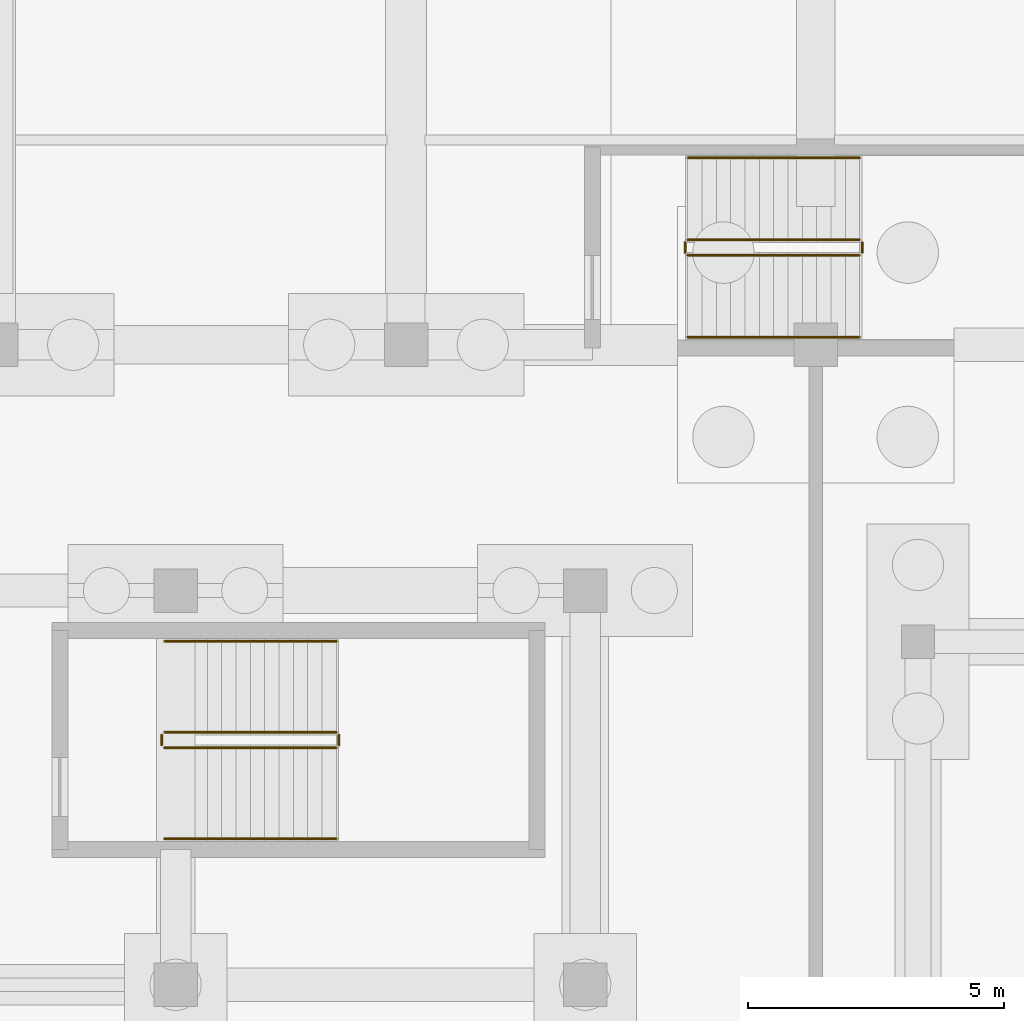
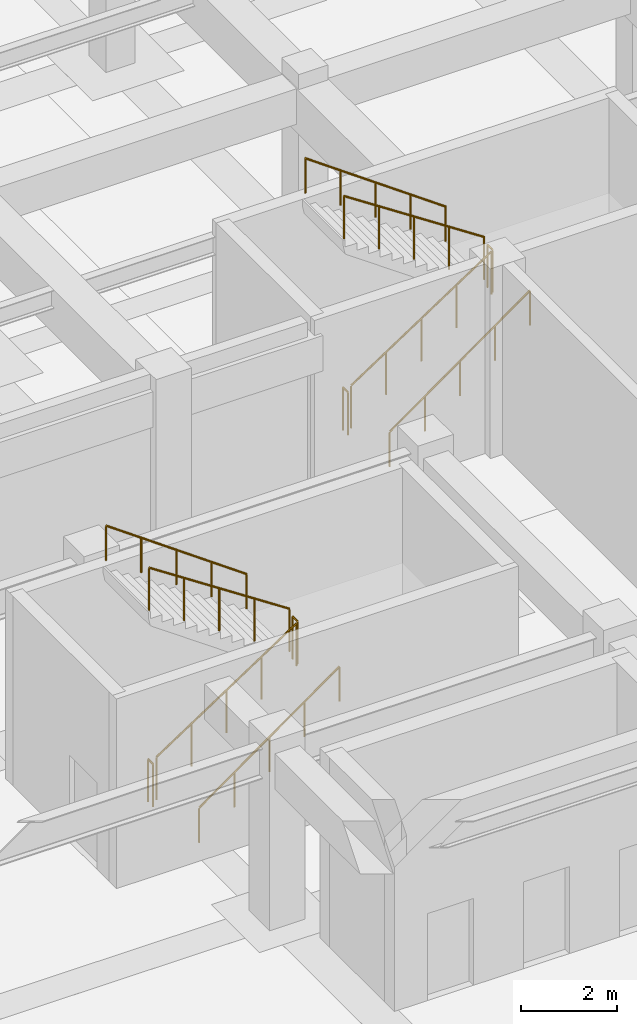
# One storey, part 47 of 48: 12 railings.
"""IFC4 building model written with IfcOpenShell, lengths in metres."""

from ifc_helpers import new_model, si_unit, direction, frame, origin, origin_2d, place, context, subcontext, project, spatial, circle, extrude, material, type_object, element, save


model = new_model("IFC4")

# Units and contexts
model_context = context("Model", 3, precision=1e-05, world=origin(), true_north=direction((0.0, 1.0)))
body_context = subcontext(model_context, "Body", "Model", "MODEL_VIEW")
ifc_project = project(units=[si_unit("LENGTHUNIT", "METRE"), si_unit("AREAUNIT", "SQUARE_METRE"), si_unit("VOLUMEUNIT", "CUBIC_METRE"), si_unit("PLANEANGLEUNIT", "RADIAN"), si_unit("MASSUNIT", "GRAM", prefix="KILO")], contexts=[model_context])

# Site, building, storey
site_placement = place(None, origin())
site = spatial("IfcSite", under=ifc_project, at=site_placement, CompositionType="ELEMENT")
building_placement = place(site_placement, origin())
building = spatial("IfcBuilding", under=site, at=building_placement, Name="Tlacozan Convention Centre", CompositionType="ELEMENT")
storey_placement = place(building_placement, frame((0.0, 0.0, -4.800048828125)))
storey = spatial("IfcBuildingStorey", under=building, at=storey_placement, Name="B01", CompositionType="ELEMENT", Elevation=-4.800048828125)

# Railings
ifc_material = material(Name="Architectural Painted Galvanised Steel Railing", Category="steel")
railing_type_1 = type_object("IfcRailingType", Name="Stair Wall Handrail 900", PredefinedType="HANDRAIL", material=ifc_material)
railing_1_placement = place(storey_placement, frame((131.280029296875, 52.35009765625, 0.1845703125)))
element("IfcRailing", 1, at=railing_1_placement, inside=storey, type_object=railing_type_1, Name="B01 ST-03 stair handrail 1", PredefinedType="HANDRAIL", context=body_context, shape_type="SweptSolid", body=[
    extrude(circle(Radius=0.02392578125, at=origin_2d()), frame((0.0, 0.0, 0.8759765625), z_axis=(0.813705504801, 0.0, 0.581277344696), x_axis=(0.0, 1.0, 0.0)), (0.0, 0.0, 1.0), 4.129150390625),
    extrude(circle(Radius=0.02099609375, at=origin_2d()), origin(), (0.0, 0.0, 1.0), 0.851806640625),
    extrude(circle(Radius=0.02099609375, at=origin_2d()), frame((0.83984375, 0.0, 0.60009765625)), (0.0, 0.0, 1.0), 0.851806640625),
    extrude(circle(Radius=0.02099609375, at=origin_2d()), frame((1.679931640625, 0.0, 1.2001953125)), (0.0, 0.0, 1.0), 0.851806640625),
    extrude(circle(Radius=0.02099609375, at=origin_2d()), frame((2.52001953125, 0.0, 1.800048828125)), (0.0, 0.0, 1.0), 0.851806640625),
    extrude(circle(Radius=0.02099609375, at=origin_2d()), frame((3.35986328125, 0.0, 2.400146484375)), (0.0, 0.0, 1.0), 0.851806640625),
])
railing_2_placement = place(storey_placement, frame((134.639892578125, 56.2099609375, 2.584716796875)))
element("IfcRailing", 2, at=railing_2_placement, inside=storey, type_object=railing_type_1, Name="B01 ST-03 stair handrail 2", PredefinedType="HANDRAIL", context=body_context, shape_type="SweptSolid", body=[
    extrude(circle(Radius=0.02392578125, at=origin_2d()), frame((0.0, 0.0, 0.8759765625), z_axis=(-0.813733471207, 0.0, 0.581238193719), x_axis=(0.0, -1.0, 0.0)), (0.0, 0.0, 1.0), 4.12890625),
    extrude(circle(Radius=0.02099609375, at=origin_2d()), origin(), (0.0, 0.0, 1.0), 0.851806640625),
    extrude(circle(Radius=0.02099609375, at=origin_2d()), frame((-0.83984375, 0.0, 0.60009765625)), (0.0, 0.0, 1.0), 0.851806640625),
    extrude(circle(Radius=0.02099609375, at=origin_2d()), frame((-1.679931640625, 0.0, 1.199951171875)), (0.0, 0.0, 1.0), 0.851806640625),
    extrude(circle(Radius=0.02099609375, at=origin_2d()), frame((-2.52001953125, 0.0, 1.7998046875)), (0.0, 0.0, 1.0), 0.851806640625),
    extrude(circle(Radius=0.02099609375, at=origin_2d()), frame((-3.35986328125, 0.0, 2.39990234375)), (0.0, 0.0, 1.0), 0.851806640625),
])
railing_3_placement = place(storey_placement, frame((141.5, 62.14990234375, 0.1845703125)))
element("IfcRailing", 3, at=railing_3_placement, inside=storey, type_object=railing_type_1, Name="B01 ST-11 stair handrail 1", PredefinedType="HANDRAIL", context=body_context, shape_type="SweptSolid", body=[
    extrude(circle(Radius=0.02392578125, at=origin_2d()), frame((0.0, 0.0, 0.8759765625), z_axis=(0.813725481382, 0.0, 0.581249379312), x_axis=(0.0, 1.0, 0.0)), (0.0, 0.0, 1.0), 4.12939453125),
    extrude(circle(Radius=0.02099609375, at=origin_2d()), origin(), (0.0, 0.0, 1.0), 0.851806640625),
    extrude(circle(Radius=0.02099609375, at=origin_2d()), frame((0.840087890625, 0.0, 0.60009765625)), (0.0, 0.0, 1.0), 0.851806640625),
    extrude(circle(Radius=0.02099609375, at=origin_2d()), frame((1.68017578125, 0.0, 1.2001953125)), (0.0, 0.0, 1.0), 0.851806640625),
    extrude(circle(Radius=0.02099609375, at=origin_2d()), frame((2.52001953125, 0.0, 1.800048828125)), (0.0, 0.0, 1.0), 0.851806640625),
    extrude(circle(Radius=0.02099609375, at=origin_2d()), frame((3.360107421875, 0.0, 2.400146484375)), (0.0, 0.0, 1.0), 0.851806640625),
])
railing_4_placement = place(storey_placement, frame((144.860107421875, 65.64990234375, 2.584716796875)))
element("IfcRailing", 4, at=railing_4_placement, inside=storey, type_object=railing_type_1, Name="B01 ST-11 stair handrail 2", PredefinedType="HANDRAIL", context=body_context, shape_type="SweptSolid", body=[
    extrude(circle(Radius=0.02392578125, at=origin_2d()), frame((0.0, 0.0, 0.8759765625), z_axis=(-0.813753445783, 0.0, 0.581210228297), x_axis=(0.0, -1.0, 0.0)), (0.0, 0.0, 1.0), 4.129150390625),
    extrude(circle(Radius=0.02099609375, at=origin_2d()), origin(), (0.0, 0.0, 1.0), 0.851806640625),
    extrude(circle(Radius=0.02099609375, at=origin_2d()), frame((-0.840087890625, 0.0, 0.60009765625)), (0.0, 0.0, 1.0), 0.851806640625),
    extrude(circle(Radius=0.02099609375, at=origin_2d()), frame((-1.68017578125, 0.0, 1.199951171875)), (0.0, 0.0, 1.0), 0.851806640625),
    extrude(circle(Radius=0.02099609375, at=origin_2d()), frame((-2.52001953125, 0.0, 1.7998046875)), (0.0, 0.0, 1.0), 0.851806640625),
    extrude(circle(Radius=0.02099609375, at=origin_2d()), frame((-3.360107421875, 0.0, 2.39990234375)), (0.0, 0.0, 1.0), 0.851806640625),
])
railing_type_2 = type_object("IfcRailingType", Name="Stair Well Guardrail 1100", PredefinedType="GUARDRAIL", material=ifc_material)
railing_5_placement = place(storey_placement, frame((131.280029296875, 54.1298828125, 0.1845703125)))
element("IfcRailing", 5, at=railing_5_placement, inside=storey, type_object=railing_type_2, Name="B01 ST-03 stair guard 1", PredefinedType="GUARDRAIL", context=body_context, shape_type="SweptSolid", body=[
    extrude(circle(Radius=0.02392578125, at=origin_2d()), frame((0.0, 0.0, 1.076171875), z_axis=(0.83483021737, 0.0, 0.550507500554), x_axis=(0.0, 1.0, 0.0)), (0.0, 0.0, 1.0), 4.024658203125),
    extrude(circle(Radius=0.02099609375, at=origin_2d()), origin(), (0.0, 0.0, 1.0), 1.052001953125),
    extrude(circle(Radius=0.02099609375, at=origin_2d()), frame((0.83984375, 0.0, 0.553955078125)), (0.0, 0.0, 1.0), 1.052001953125),
    extrude(circle(Radius=0.02099609375, at=origin_2d()), frame((1.679931640625, 0.0, 1.10791015625)), (0.0, 0.0, 1.0), 1.052001953125),
    extrude(circle(Radius=0.02099609375, at=origin_2d()), frame((2.52001953125, 0.0, 1.66162109375)), (0.0, 0.0, 1.0), 1.052001953125),
    extrude(circle(Radius=0.02099609375, at=origin_2d()), frame((3.35986328125, 0.0, 2.215576171875)), (0.0, 0.0, 1.0), 1.052001953125),
])
railing_6_placement = place(storey_placement, frame((134.68994140625, 54.179931640625, 2.400146484375)))
element("IfcRailing", 6, at=railing_6_placement, inside=storey, type_object=railing_type_2, Name="B01 ST-03 stair guard 2", PredefinedType="GUARDRAIL", context=body_context, shape_type="SweptSolid", body=[
    extrude(circle(Radius=0.02392578125, at=origin_2d()), frame((0.0, 0.0, 1.076171875), z_axis=(0.0, 1.0, 0.0), x_axis=(-1.0, 0.0, 0.0)), (0.0, 0.0, 1.0), 0.199951171875),
    extrude(circle(Radius=0.02099609375, at=origin_2d()), origin(), (0.0, 0.0, 1.0), 1.052001953125),
    extrude(circle(Radius=0.02099609375, at=origin_2d()), frame((0.0, 0.199951171875, 0.0)), (0.0, 0.0, 1.0), 1.052001953125),
])
railing_7_placement = place(storey_placement, frame((134.639892578125, 54.429931640625, 2.584716796875)))
element("IfcRailing", 7, at=railing_7_placement, inside=storey, type_object=railing_type_2, Name="B01 ST-03 stair guard 3", PredefinedType="GUARDRAIL", context=body_context, shape_type="SweptSolid", body=[
    extrude(circle(Radius=0.02392578125, at=origin_2d()), frame((0.0, 0.0, 1.076171875), z_axis=(-0.834858096282, 0.0, 0.550465220583), x_axis=(0.0, -1.0, 0.0)), (0.0, 0.0, 1.0), 4.0244140625),
    extrude(circle(Radius=0.02099609375, at=origin_2d()), origin(), (0.0, 0.0, 1.0), 1.052001953125),
    extrude(circle(Radius=0.02099609375, at=origin_2d()), frame((-0.83984375, 0.0, 0.5537109375)), (0.0, 0.0, 1.0), 1.052001953125),
    extrude(circle(Radius=0.02099609375, at=origin_2d()), frame((-1.679931640625, 0.0, 1.107666015625)), (0.0, 0.0, 1.0), 1.052001953125),
    extrude(circle(Radius=0.02099609375, at=origin_2d()), frame((-2.52001953125, 0.0, 1.66162109375)), (0.0, 0.0, 1.0), 1.052001953125),
    extrude(circle(Radius=0.02099609375, at=origin_2d()), frame((-3.35986328125, 0.0, 2.21533203125)), (0.0, 0.0, 1.0), 1.052001953125),
])
railing_8_placement = place(storey_placement, frame((131.22998046875, 54.179931640625, 0.0)))
element("IfcRailing", 8, at=railing_8_placement, inside=storey, type_object=railing_type_2, Name="B01 ST-03 stair guard 4", PredefinedType="GUARDRAIL", context=body_context, shape_type="SweptSolid", body=[
    extrude(circle(Radius=0.02392578125, at=origin_2d()), frame((0.0, 0.0, 1.076171875), z_axis=(0.0, 1.0, 0.0), x_axis=(-1.0, 0.0, 0.0)), (0.0, 0.0, 1.0), 0.199951171875),
    extrude(circle(Radius=0.02099609375, at=origin_2d()), origin(), (0.0, 0.0, 1.0), 1.052001953125),
    extrude(circle(Radius=0.02099609375, at=origin_2d()), frame((0.0, 0.199951171875, 0.0)), (0.0, 0.0, 1.0), 1.052001953125),
])
railing_9_placement = place(storey_placement, frame((141.5, 63.75, 0.1845703125)))
element("IfcRailing", 9, at=railing_9_placement, inside=storey, type_object=railing_type_2, Name="B01 ST-11 stair guard 1", PredefinedType="GUARDRAIL", context=body_context, shape_type="SweptSolid", body=[
    extrude(circle(Radius=0.02392578125, at=origin_2d()), frame((0.0, 0.0, 1.076171875), z_axis=(0.834848600103, 0.0, 0.550479622607), x_axis=(0.0, 1.0, 0.0)), (0.0, 0.0, 1.0), 4.02490234375),
    extrude(circle(Radius=0.02099609375, at=origin_2d()), origin(), (0.0, 0.0, 1.0), 1.052001953125),
    extrude(circle(Radius=0.02099609375, at=origin_2d()), frame((0.840087890625, 0.0, 0.553955078125)), (0.0, 0.0, 1.0), 1.052001953125),
    extrude(circle(Radius=0.02099609375, at=origin_2d()), frame((1.68017578125, 0.0, 1.10791015625)), (0.0, 0.0, 1.0), 1.052001953125),
    extrude(circle(Radius=0.02099609375, at=origin_2d()), frame((2.52001953125, 0.0, 1.66162109375)), (0.0, 0.0, 1.0), 1.052001953125),
    extrude(circle(Radius=0.02099609375, at=origin_2d()), frame((3.360107421875, 0.0, 2.215576171875)), (0.0, 0.0, 1.0), 1.052001953125),
])
railing_10_placement = place(storey_placement, frame((144.909912109375, 63.800048828125, 2.400146484375)))
element("IfcRailing", 10, at=railing_10_placement, inside=storey, type_object=railing_type_2, Name="B01 ST-11 stair guard 2", PredefinedType="GUARDRAIL", context=body_context, shape_type="SweptSolid", body=[
    extrude(circle(Radius=0.02392578125, at=origin_2d()), frame((0.0, 0.0, 1.076171875), z_axis=(0.0, 1.0, 0.0), x_axis=(-1.0, 0.0, 0.0)), (0.0, 0.0, 1.0), 0.199951171875),
    extrude(circle(Radius=0.02099609375, at=origin_2d()), origin(), (0.0, 0.0, 1.0), 1.052001953125),
    extrude(circle(Radius=0.02099609375, at=origin_2d()), frame((0.0, 0.199951171875, 0.0)), (0.0, 0.0, 1.0), 1.052001953125),
])
railing_11_placement = place(storey_placement, frame((144.860107421875, 64.050048828125, 2.584716796875)))
element("IfcRailing", 11, at=railing_11_placement, inside=storey, type_object=railing_type_2, Name="B01 ST-11 stair guard 3", PredefinedType="GUARDRAIL", context=body_context, shape_type="SweptSolid", body=[
    extrude(circle(Radius=0.02392578125, at=origin_2d()), frame((0.0, 0.0, 1.076171875), z_axis=(-0.834876476806, 0.0, 0.550437342915), x_axis=(0.0, -1.0, 0.0)), (0.0, 0.0, 1.0), 4.024658203125),
    extrude(circle(Radius=0.02099609375, at=origin_2d()), origin(), (0.0, 0.0, 1.0), 1.052001953125),
    extrude(circle(Radius=0.02099609375, at=origin_2d()), frame((-0.840087890625, 0.0, 0.5537109375)), (0.0, 0.0, 1.0), 1.052001953125),
    extrude(circle(Radius=0.02099609375, at=origin_2d()), frame((-1.68017578125, 0.0, 1.107666015625)), (0.0, 0.0, 1.0), 1.052001953125),
    extrude(circle(Radius=0.02099609375, at=origin_2d()), frame((-2.52001953125, 0.0, 1.66162109375)), (0.0, 0.0, 1.0), 1.052001953125),
    extrude(circle(Radius=0.02099609375, at=origin_2d()), frame((-3.360107421875, 0.0, 2.21533203125)), (0.0, 0.0, 1.0), 1.052001953125),
])
railing_12_placement = place(storey_placement, frame((141.449951171875, 63.800048828125, 0.0)))
element("IfcRailing", 12, at=railing_12_placement, inside=storey, type_object=railing_type_2, Name="B01 ST-11 stair guard 4", PredefinedType="GUARDRAIL", context=body_context, shape_type="SweptSolid", body=[
    extrude(circle(Radius=0.02392578125, at=origin_2d()), frame((0.0, 0.0, 1.076171875), z_axis=(0.0, 1.0, 0.0), x_axis=(-1.0, 0.0, 0.0)), (0.0, 0.0, 1.0), 0.199951171875),
    extrude(circle(Radius=0.02099609375, at=origin_2d()), origin(), (0.0, 0.0, 1.0), 1.052001953125),
    extrude(circle(Radius=0.02099609375, at=origin_2d()), frame((0.0, 0.199951171875, 0.0)), (0.0, 0.0, 1.0), 1.052001953125),
])

save(model, "model.ifc")
